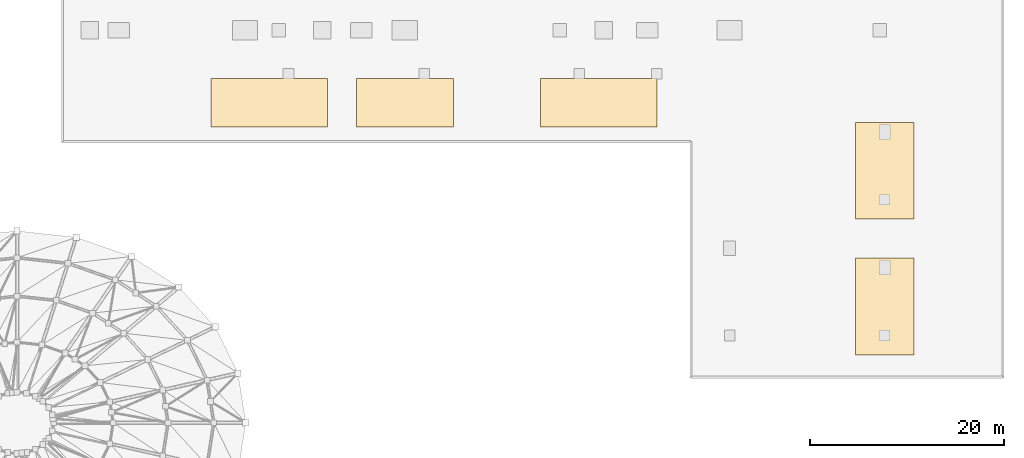
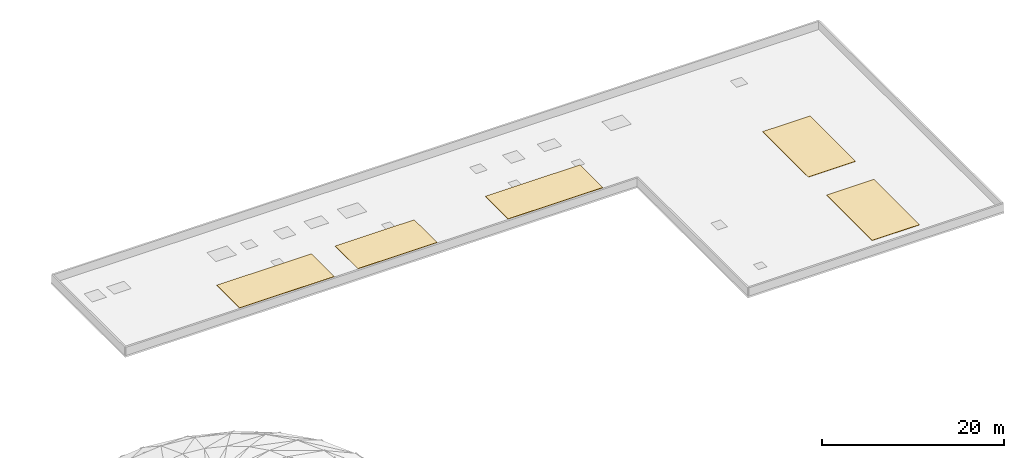
# One storey, part 11 of 11: 5 coverings.
"""IFC4 building model written with IfcOpenShell, lengths in metres."""

from ifc_helpers import new_model, si_unit, direction, frame, origin, origin_2d, place, context, subcontext, project, spatial, rectangle, extrude, material, layer, layer_set, type_object, element, save


model = new_model("IFC4")

# Units and contexts
model_context = context("Model", 3, precision=1e-05, world=origin(), true_north=direction((0.0, 1.0)))
body_context = subcontext(model_context, "Body", "Model", "MODEL_VIEW")
ifc_project = project(units=[si_unit("LENGTHUNIT", "METRE"), si_unit("AREAUNIT", "SQUARE_METRE"), si_unit("VOLUMEUNIT", "CUBIC_METRE"), si_unit("PLANEANGLEUNIT", "RADIAN"), si_unit("MASSUNIT", "GRAM", prefix="KILO")], contexts=[model_context])

# Site, building, storey
site_placement = place(None, origin())
site = spatial("IfcSite", under=ifc_project, at=site_placement, CompositionType="ELEMENT")
building_placement = place(site_placement, origin())
building = spatial("IfcBuilding", under=site, at=building_placement, Name="Parian Resonance Hall", CompositionType="ELEMENT")
storey_placement = place(building_placement, frame((0.0, 0.0, 27.60009765625)))
storey = spatial("IfcBuildingStorey", under=building, at=storey_placement, Name="ROOF", CompositionType="ELEMENT", Elevation=27.60009765625)

# Coverings
ifc_material = material(Name="Rain-damped acoustic standing-seam roofing")
ifc_layer = layer(ifc_material, 0.050048828125)
ifc_layer_set = layer_set([ifc_layer], Name="Rain-damped acoustic standing-seam roofing")
covering_type = type_object("IfcCoveringType", Name="COV-ROOF-ACOUSTIC", PredefinedType="ROOFING", material=ifc_layer_set)
covering_1_placement = place(storey_placement, frame((70.0, 77.0, 0.0), z_axis=(0.0, 0.0, 1.0), x_axis=(1.0, 0.0, 0.0)))
element("IfcCovering", 1, at=covering_1_placement, inside=storey, type_object=covering_type, Name="Rain-damped acoustic roof membrane ROOF-01", PredefinedType="ROOFING", context=body_context, shape_type="SweptSolid", body=[
    extrude(rectangle(XDim=12.0, YDim=5.0, at=origin_2d()), origin(), (0.0, 0.0, 1.0), 0.050048828125),
])
covering_2_placement = place(storey_placement, frame((84.0, 77.0, 0.0), z_axis=(0.0, 0.0, 1.0), x_axis=(1.0, 0.0, 0.0)))
element("IfcCovering", 2, at=covering_2_placement, inside=storey, type_object=covering_type, Name="Rain-damped acoustic roof membrane ROOF-02", PredefinedType="ROOFING", context=body_context, shape_type="SweptSolid", body=[
    extrude(rectangle(XDim=10.0, YDim=5.0, at=origin_2d()), origin(), (0.0, 0.0, 1.0), 0.050048828125),
])
covering_3_placement = place(storey_placement, frame((104.0, 77.0, 0.0), z_axis=(0.0, 0.0, 1.0), x_axis=(1.0, 0.0, 0.0)))
element("IfcCovering", 3, at=covering_3_placement, inside=storey, type_object=covering_type, Name="Rain-damped acoustic roof membrane ROOF-03", PredefinedType="ROOFING", context=body_context, shape_type="SweptSolid", body=[
    extrude(rectangle(XDim=12.0, YDim=5.0, at=origin_2d()), origin(), (0.0, 0.0, 1.0), 0.050048828125),
])
for number, where, z_axis, x_axis, name in (
    (4, (133.5, 56.0, 0.0), (0.0, 0.0, 1.0), (1.0, 0.0, 0.0), "Rain-damped acoustic roof membrane ROOF-04"),
    (5, (133.5, 70.0, 0.0), (0.0, 0.0, 1.0), (1.0, 0.0, 0.0), "Rain-damped acoustic roof membrane ROOF-05"),
):
    element("IfcCovering", number, at=place(storey_placement, frame(where, z_axis=z_axis, x_axis=x_axis)), inside=storey, type_object=covering_type, Name=name, PredefinedType="ROOFING", context=body_context, shape_type="SweptSolid", body=[
        extrude(rectangle(XDim=6.0, YDim=10.0, at=origin_2d()), origin(), (0.0, 0.0, 1.0), 0.050048828125),
    ])

save(model, "model.ifc")
